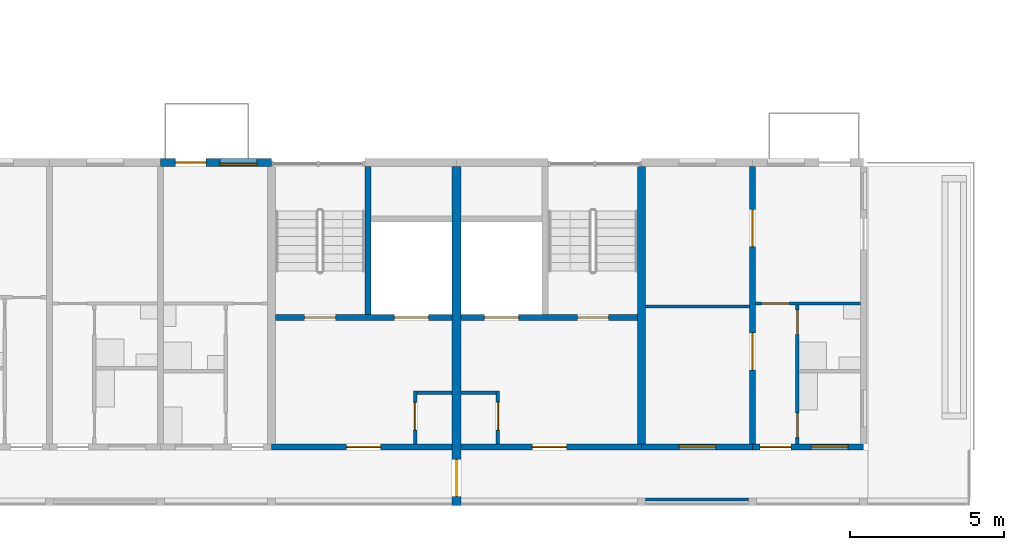
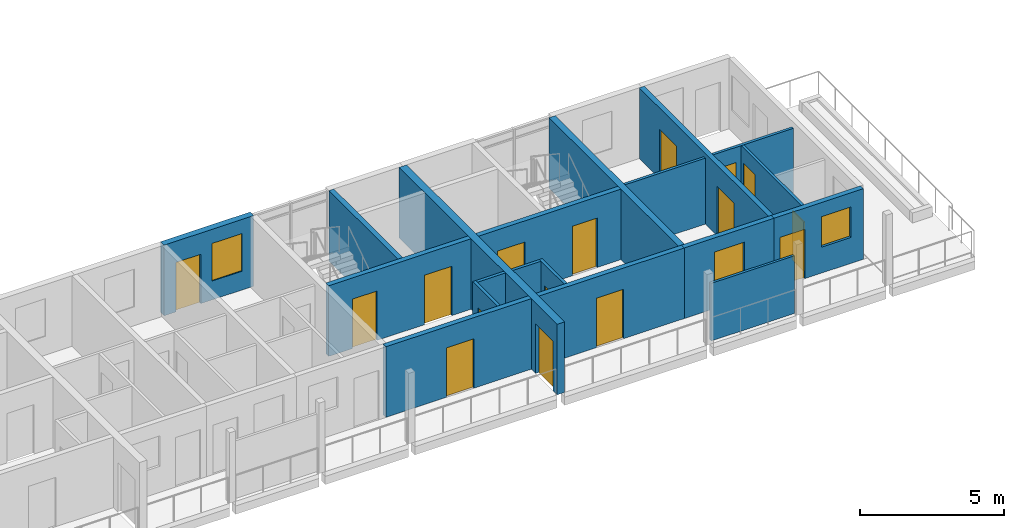
# One storey, part 29 of 64: 19 walls, 16 doors, 3 windows, 19 openings.
"""IFC4 building model written with IfcOpenShell, lengths in metres."""

from ifc_helpers import new_model, si_unit, direction, frame, frame_2d, origin, place, context, subcontext, project, spatial, rectangle, extrude, material, layer, layer_set, type_object, element, fill, save


model = new_model("IFC4")

# Units and contexts
model_context = context("Model", 3, precision=1e-05, world=origin(), true_north=direction((0.0, 1.0)))
body_context = subcontext(model_context, "Body", "Model", "MODEL_VIEW")
ifc_project = project(units=[si_unit("LENGTHUNIT", "METRE"), si_unit("AREAUNIT", "SQUARE_METRE"), si_unit("VOLUMEUNIT", "CUBIC_METRE"), si_unit("PLANEANGLEUNIT", "RADIAN"), si_unit("MASSUNIT", "GRAM", prefix="KILO")], contexts=[model_context])

# Site, building, storey
site_placement = place(None, origin())
site = spatial("IfcSite", under=ifc_project, at=site_placement, CompositionType="ELEMENT")
building_placement = place(site_placement, origin())
building = spatial("IfcBuilding", under=site, at=building_placement, Name="Ridgestep Commons", CompositionType="ELEMENT")
storey_placement = place(building_placement, frame((0.0, 0.0, 33.0)))
storey = spatial("IfcBuildingStorey", under=building, at=storey_placement, Name="L11", CompositionType="ELEMENT", Elevation=33.0)

# Wall
ifc_material_1 = material(Name="Concrete C30/37", Category="concrete")
ifc_layer_1 = layer(ifc_material_1, 0.25)
ifc_layer_set_1 = layer_set([ifc_layer_1], Name="Core cross wall 250")
wall_type_1 = type_object("IfcWallType", Name="Core cross wall 250", PredefinedType="SHEAR", material=ifc_layer_set_1)
wall_1_placement = place(storey_placement, frame((102.0, 13.75, 0.0), z_axis=(0.0, 0.0, 1.0), x_axis=(0.0, 1.0, 0.0)))
element("IfcWall", 1, at=wall_1_placement, inside=storey, type_object=wall_type_1, Name="Cross wall A-11-1020", PredefinedType="SHEAR", context=body_context, shape_type="SweptSolid", body=[
    extrude(rectangle(XDim=9.0, YDim=0.25, at=frame_2d((4.5, 0.0))), origin(), (0.0, 0.0, 1.0), 3.0),
])

# Wall, opening, door
ifc_material_2 = material(Name="Concrete C30/37", Category="concrete")
ifc_layer_2 = layer(ifc_material_2, 0.199951171875)
ifc_layer_set_2 = layer_set([ifc_layer_2], Name="Core south wall 200")
wall_type_2 = type_object("IfcWallType", Name="Core south wall 200", PredefinedType="SHEAR", material=ifc_layer_set_2)
wall_2_placement = place(storey_placement, frame((90.0, 13.64990234375, 0.0), z_axis=(0.0, 0.0, 1.0), x_axis=(1.0, 0.0, 0.0)))
wall_2 = element("IfcWall", 2, at=wall_2_placement, inside=storey, type_object=wall_type_2, Name="Core south wall A5C L11", PredefinedType="SHEAR", context=body_context, shape_type="SweptSolid", body=[
    extrude(rectangle(XDim=5.85009765625, YDim=0.199951171875, at=frame_2d((2.925048828125, 0.0))), origin(), (0.0, 0.0, 1.0), 3.0),
])
opening_1_placement = place(wall_2_placement, frame((2.4375, 0.0, 0.0)))
opening_1 = element("IfcOpeningElement", 3, at=opening_1_placement, cuts=wall_2, Name="Opening A5C/11/1", PredefinedType="OPENING", context=body_context, shape_type="SweptSolid", body=[
    extrude(rectangle(XDim=1.10009765625, YDim=2.10009765625, at=frame_2d((0.550048828125, 1.050048828125))), frame((0.0, 0.10986328125, 0.0), z_axis=(0.0, -1.0, 0.0), x_axis=(1.0, 0.0, 0.0)), (0.0, 0.0, 1.0), 0.219970703125),
])
ifc_material_3 = material(Name="Steel fire door", Category="steel")
door_type_1 = type_object("IfcDoorType", Name="Lobby door 1100 x 2100 FD60", OperationType="NOTDEFINED", PredefinedType="DOOR", material=ifc_material_3)
door_1_placement = place(opening_1_placement, origin())
door_1 = element("IfcDoor", 4, at=door_1_placement, inside=storey, type_object=door_type_1, Name="Lobby door A5C/11/1", OperationType="SINGLE_SWING_LEFT", OverallHeight=2.10009765625, OverallWidth=1.10009765625, PredefinedType="DOOR", context=body_context, shape_type="SweptSolid", body=[
    extrude(rectangle(XDim=1.10009765625, YDim=2.10009765625, at=frame_2d((0.550048828125, 1.050048828125))), frame((0.0, 0.02490234375, 0.0), z_axis=(0.0, -1.0, 0.0), x_axis=(1.0, 0.0, 0.0)), (0.0, 0.0, 1.0), 0.050048828125),
])
fill(opening_1, door_1)

wall_3_placement = place(storey_placement, frame((96.14990234375, 13.64990234375, 0.0), z_axis=(0.0, 0.0, 1.0), x_axis=(1.0, 0.0, 0.0)))
wall_3 = element("IfcWall", 5, at=wall_3_placement, inside=storey, type_object=wall_type_2, Name="Core south wall A6C L11", PredefinedType="SHEAR", context=body_context, shape_type="SweptSolid", body=[
    extrude(rectangle(XDim=5.85009765625, YDim=0.199951171875, at=frame_2d((2.925048828125, 0.0))), origin(), (0.0, 0.0, 1.0), 3.0),
])
opening_2_placement = place(wall_3_placement, frame((2.3125, 0.0, 0.0)))
opening_2 = element("IfcOpeningElement", 6, at=opening_2_placement, cuts=wall_3, Name="Opening A6C/11/1", PredefinedType="OPENING", context=body_context, shape_type="SweptSolid", body=[
    extrude(rectangle(XDim=1.10009765625, YDim=2.10009765625, at=frame_2d((0.550048828125, 1.050048828125))), frame((0.0, 0.10986328125, 0.0), z_axis=(0.0, -1.0, 0.0), x_axis=(1.0, 0.0, 0.0)), (0.0, 0.0, 1.0), 0.219970703125),
])
door_2_placement = place(opening_2_placement, origin())
door_2 = element("IfcDoor", 7, at=door_2_placement, inside=storey, type_object=door_type_1, Name="Lobby door A6C/11/1", OperationType="SINGLE_SWING_LEFT", OverallHeight=2.10009765625, OverallWidth=1.10009765625, PredefinedType="DOOR", context=body_context, shape_type="SweptSolid", body=[
    extrude(rectangle(XDim=1.10009765625, YDim=2.10009765625, at=frame_2d((0.550048828125, 1.050048828125))), frame((0.0, 0.02490234375, 0.0), z_axis=(0.0, -1.0, 0.0), x_axis=(1.0, 0.0, 0.0)), (0.0, 0.0, 1.0), 0.050048828125),
])
fill(opening_2, door_2)

ifc_material_4 = material(Name="Concrete C30/37", Category="concrete")
ifc_layer_3 = layer(ifc_material_4, 0.1201171875)
ifc_layer_set_3 = layer_set([ifc_layer_3], Name="Core wall 120")
wall_type_3 = type_object("IfcWallType", Name="Core wall 120", PredefinedType="SHEAR", material=ifc_layer_set_3)
wall_4_placement = place(storey_placement, frame((94.659912109375, 13.75, 0.0), z_axis=(0.0, 0.0, 1.0), x_axis=(0.0, 1.0, 0.0)))
wall_4 = element("IfcWall", 8, at=wall_4_placement, inside=storey, type_object=wall_type_3, Name="Core riser w wall A5C L11", PredefinedType="SHEAR", context=body_context, shape_type="SweptSolid", body=[
    extrude(rectangle(XDim=1.719970703125, YDim=0.1201171875, at=frame_2d((0.85986328125, 0.0))), origin(), (0.0, 0.0, 1.0), 3.0),
])
opening_3_placement = place(wall_4_placement, frame((0.449951171875, 0.0, 0.0)))
opening_3 = element("IfcOpeningElement", 9, at=opening_3_placement, cuts=wall_4, Name="Opening A5C/11/4", PredefinedType="OPENING", context=body_context, shape_type="SweptSolid", body=[
    extrude(rectangle(XDim=0.89990234375, YDim=2.10009765625, at=frame_2d((0.449951171875, 1.050048828125))), frame((0.0, 0.070068359375, 0.0), z_axis=(0.0, -1.0, 0.0), x_axis=(1.0, 0.0, 0.0)), (0.0, 0.0, 1.0), 0.14013671875),
])
ifc_material_5 = material(Name="Steel fire door", Category="steel")
door_type_2 = type_object("IfcDoorType", Name="Riser door 900 x 2100 FD60", OperationType="NOTDEFINED", PredefinedType="DOOR", material=ifc_material_5)
door_3_placement = place(opening_3_placement, origin())
door_3 = element("IfcDoor", 10, at=door_3_placement, inside=storey, type_object=door_type_2, Name="Riser door A5C/11/4", OperationType="SINGLE_SWING_LEFT", OverallHeight=2.10009765625, OverallWidth=0.89990234375, PredefinedType="DOOR", context=body_context, shape_type="SweptSolid", body=[
    extrude(rectangle(XDim=0.89990234375, YDim=2.10009765625, at=frame_2d((0.449951171875, 1.050048828125))), frame((0.0, 0.02490234375, 0.0), z_axis=(0.0, -1.0, 0.0), x_axis=(1.0, 0.0, 0.0)), (0.0, 0.0, 1.0), 0.050048828125),
])
fill(opening_3, door_3)

# Wall
wall_5_placement = place(storey_placement, frame((94.719970703125, 15.409912109375, 0.0), z_axis=(0.0, 0.0, 1.0), x_axis=(1.0, 0.0, 0.0)))
element("IfcWall", 11, at=wall_5_placement, inside=storey, type_object=wall_type_3, Name="Core riser n wall A5C L11", PredefinedType="SHEAR", context=body_context, shape_type="SweptSolid", body=[
    extrude(rectangle(XDim=1.130126953125, YDim=0.1201171875, at=frame_2d((0.56494140625, 0.0))), origin(), (0.0, 0.0, 1.0), 3.0),
])

# Wall, opening, door
wall_6_placement = place(storey_placement, frame((97.340087890625, 13.75, 0.0), z_axis=(0.0, 0.0, 1.0), x_axis=(0.0, 1.0, 0.0)))
wall_6 = element("IfcWall", 12, at=wall_6_placement, inside=storey, type_object=wall_type_3, Name="Core riser w wall A6C L11", PredefinedType="SHEAR", context=body_context, shape_type="SweptSolid", body=[
    extrude(rectangle(XDim=1.719970703125, YDim=0.1201171875, at=frame_2d((0.85986328125, 0.0))), origin(), (0.0, 0.0, 1.0), 3.0),
])
opening_4_placement = place(wall_6_placement, frame((0.449951171875, 0.0, 0.0)))
opening_4 = element("IfcOpeningElement", 13, at=opening_4_placement, cuts=wall_6, Name="Opening A6C/11/4", PredefinedType="OPENING", context=body_context, shape_type="SweptSolid", body=[
    extrude(rectangle(XDim=0.89990234375, YDim=2.10009765625, at=frame_2d((0.449951171875, 1.050048828125))), frame((0.0, 0.070068359375, 0.0), z_axis=(0.0, -1.0, 0.0), x_axis=(1.0, 0.0, 0.0)), (0.0, 0.0, 1.0), 0.14013671875),
])
door_4_placement = place(opening_4_placement, origin())
door_4 = element("IfcDoor", 14, at=door_4_placement, inside=storey, type_object=door_type_2, Name="Riser door A6C/11/4", OperationType="SINGLE_SWING_RIGHT", OverallHeight=2.10009765625, OverallWidth=0.89990234375, PredefinedType="DOOR", context=body_context, shape_type="SweptSolid", body=[
    extrude(rectangle(XDim=0.89990234375, YDim=2.10009765625, at=frame_2d((0.449951171875, 1.050048828125))), frame((0.0, 0.02490234375, 0.0), z_axis=(0.0, -1.0, 0.0), x_axis=(1.0, 0.0, 0.0)), (0.0, 0.0, 1.0), 0.050048828125),
])
fill(opening_4, door_4)

# Wall
wall_7_placement = place(storey_placement, frame((96.14990234375, 15.409912109375, 0.0), z_axis=(0.0, 0.0, 1.0), x_axis=(1.0, 0.0, 0.0)))
element("IfcWall", 15, at=wall_7_placement, inside=storey, type_object=wall_type_3, Name="Core riser n wall A6C L11", PredefinedType="SHEAR", context=body_context, shape_type="SweptSolid", body=[
    extrude(rectangle(XDim=1.130126953125, YDim=0.1201171875, at=frame_2d((0.56494140625, 0.0))), origin(), (0.0, 0.0, 1.0), 3.0),
])

# Wall, openings, doors
ifc_material_6 = material(Name="Concrete C30/37", Category="concrete")
ifc_layer_4 = layer(ifc_material_6, 0.199951171875)
ifc_layer_set_4 = layer_set([ifc_layer_4], Name="Core wall 200")
wall_type_4 = type_object("IfcWallType", Name="Core wall 200", PredefinedType="SHEAR", material=ifc_layer_set_4)
wall_8_placement = place(storey_placement, frame((90.125, 17.85009765625, 0.0), z_axis=(0.0, 0.0, 1.0), x_axis=(1.0, 0.0, 0.0)))
wall_8 = element("IfcWall", 16, at=wall_8_placement, inside=storey, type_object=wall_type_4, Name="Core lobby wall A5C L11", PredefinedType="SHEAR", context=body_context, shape_type="SweptSolid", body=[
    extrude(rectangle(XDim=5.72509765625, YDim=0.199951171875, at=frame_2d((2.862548828125, 0.0))), origin(), (0.0, 0.0, 1.0), 3.0),
])
opening_5_placement = place(wall_8_placement, frame((0.949951171875, 0.0, 0.0)))
opening_5 = element("IfcOpeningElement", 17, at=opening_5_placement, cuts=wall_8, Name="Opening A5C/11/2", PredefinedType="OPENING", context=body_context, shape_type="SweptSolid", body=[
    extrude(rectangle(XDim=1.0, YDim=2.10009765625, at=frame_2d((0.5, 1.050048828125))), frame((0.0, 0.10986328125, 0.0), z_axis=(0.0, -1.0, 0.0), x_axis=(1.0, 0.0, 0.0)), (0.0, 0.0, 1.0), 0.219970703125),
])
opening_6_placement = place(wall_8_placement, frame((3.862548828125, 0.0, 0.0)))
opening_6 = element("IfcOpeningElement", 18, at=opening_6_placement, cuts=wall_8, Name="Opening A5C/11/3", PredefinedType="OPENING", context=body_context, shape_type="SweptSolid", body=[
    extrude(rectangle(XDim=1.10009765625, YDim=2.10009765625, at=frame_2d((0.550048828125, 1.050048828125))), frame((0.0, 0.10986328125, 0.0), z_axis=(0.0, -1.0, 0.0), x_axis=(1.0, 0.0, 0.0)), (0.0, 0.0, 1.0), 0.219970703125),
])
ifc_material_7 = material(Name="Stainless steel", Category="steel")
door_type_3 = type_object("IfcDoorType", Name="Lift landing door 1100 x 2100 FD60", OperationType="DOUBLE_DOOR_SLIDING", PredefinedType="DOOR", material=ifc_material_7)
door_5_placement = place(opening_6_placement, origin())
door_5 = element("IfcDoor", 19, at=door_5_placement, inside=storey, type_object=door_type_3, Name="Landing door LD A5C L11", OperationType="DOUBLE_DOOR_SLIDING", OverallHeight=2.10009765625, OverallWidth=1.10009765625, PredefinedType="DOOR", context=body_context, shape_type="SweptSolid", body=[
    extrude(rectangle(XDim=1.10009765625, YDim=2.10009765625, at=frame_2d((0.550048828125, 1.050048828125))), frame((0.0, 0.02490234375, 0.0), z_axis=(0.0, -1.0, 0.0), x_axis=(1.0, 0.0, 0.0)), (0.0, 0.0, 1.0), 0.050048828125),
])
fill(opening_6, door_5)
ifc_material_8 = material(Name="Steel fire door", Category="steel")
door_type_4 = type_object("IfcDoorType", Name="Stair door 1000 x 2100 FD60", OperationType="NOTDEFINED", PredefinedType="DOOR", material=ifc_material_8)
door_6_placement = place(opening_5_placement, origin())
door_6 = element("IfcDoor", 20, at=door_6_placement, inside=storey, type_object=door_type_4, Name="Stair door A5C/11/2", OperationType="SINGLE_SWING_RIGHT", OverallHeight=2.10009765625, OverallWidth=1.0, PredefinedType="DOOR", context=body_context, shape_type="SweptSolid", body=[
    extrude(rectangle(XDim=1.0, YDim=2.10009765625, at=frame_2d((0.5, 1.050048828125))), frame((0.0, 0.02490234375, 0.0), z_axis=(0.0, -1.0, 0.0), x_axis=(1.0, 0.0, 0.0)), (0.0, 0.0, 1.0), 0.050048828125),
])
fill(opening_5, door_6)

# Wall
wall_9_placement = place(storey_placement, frame((93.125, 17.949951171875, 0.0), z_axis=(0.0, 0.0, 1.0), x_axis=(0.0, 1.0, 0.0)))
element("IfcWall", 21, at=wall_9_placement, inside=storey, type_object=wall_type_4, Name="Core stair wall A5C L11", PredefinedType="SHEAR", context=body_context, shape_type="SweptSolid", body=[
    extrude(rectangle(XDim=4.800048828125, YDim=0.199951171875, at=frame_2d((2.39990234375, 0.0))), origin(), (0.0, 0.0, 1.0), 3.0),
])

# Wall, openings, doors
wall_10_placement = place(storey_placement, frame((96.14990234375, 17.85009765625, 0.0), z_axis=(0.0, 0.0, 1.0), x_axis=(1.0, 0.0, 0.0)))
wall_10 = element("IfcWall", 22, at=wall_10_placement, inside=storey, type_object=wall_type_4, Name="Core lobby wall A6C L11", PredefinedType="SHEAR", context=body_context, shape_type="SweptSolid", body=[
    extrude(rectangle(XDim=5.72509765625, YDim=0.199951171875, at=frame_2d((2.862548828125, 0.0))), origin(), (0.0, 0.0, 1.0), 3.0),
])
opening_7_placement = place(wall_10_placement, frame((3.77490234375, 0.0, 0.0)))
opening_7 = element("IfcOpeningElement", 23, at=opening_7_placement, cuts=wall_10, Name="Opening A6C/11/2", PredefinedType="OPENING", context=body_context, shape_type="SweptSolid", body=[
    extrude(rectangle(XDim=1.0, YDim=2.10009765625, at=frame_2d((0.5, 1.050048828125))), frame((0.0, 0.10986328125, 0.0), z_axis=(0.0, -1.0, 0.0), x_axis=(1.0, 0.0, 0.0)), (0.0, 0.0, 1.0), 0.219970703125),
])
opening_8_placement = place(wall_10_placement, frame((0.762451171875, 0.0, 0.0)))
opening_8 = element("IfcOpeningElement", 24, at=opening_8_placement, cuts=wall_10, Name="Opening A6C/11/3", PredefinedType="OPENING", context=body_context, shape_type="SweptSolid", body=[
    extrude(rectangle(XDim=1.10009765625, YDim=2.10009765625, at=frame_2d((0.550048828125, 1.050048828125))), frame((0.0, 0.10986328125, 0.0), z_axis=(0.0, -1.0, 0.0), x_axis=(1.0, 0.0, 0.0)), (0.0, 0.0, 1.0), 0.219970703125),
])
door_7_placement = place(opening_8_placement, origin())
door_7 = element("IfcDoor", 25, at=door_7_placement, inside=storey, type_object=door_type_3, Name="Landing door LD A6C L11", OperationType="DOUBLE_DOOR_SLIDING", OverallHeight=2.10009765625, OverallWidth=1.10009765625, PredefinedType="DOOR", context=body_context, shape_type="SweptSolid", body=[
    extrude(rectangle(XDim=1.10009765625, YDim=2.10009765625, at=frame_2d((0.550048828125, 1.050048828125))), frame((0.0, 0.02490234375, 0.0), z_axis=(0.0, -1.0, 0.0), x_axis=(1.0, 0.0, 0.0)), (0.0, 0.0, 1.0), 0.050048828125),
])
fill(opening_8, door_7)
door_8_placement = place(opening_7_placement, origin())
door_8 = element("IfcDoor", 26, at=door_8_placement, inside=storey, type_object=door_type_4, Name="Stair door A6C/11/2", OperationType="SINGLE_SWING_RIGHT", OverallHeight=2.10009765625, OverallWidth=1.0, PredefinedType="DOOR", context=body_context, shape_type="SweptSolid", body=[
    extrude(rectangle(XDim=1.0, YDim=2.10009765625, at=frame_2d((0.5, 1.050048828125))), frame((0.0, 0.02490234375, 0.0), z_axis=(0.0, -1.0, 0.0), x_axis=(1.0, 0.0, 0.0)), (0.0, 0.0, 1.0), 0.050048828125),
])
fill(opening_7, door_8)

ifc_material_9 = material(Name="Precast concrete C40/50", Category="concrete")
ifc_layer_5 = layer(ifc_material_9, 0.199951171875)
ifc_layer_set_5 = layer_set([ifc_layer_5], Name="Cross wall 200")
wall_type_5 = type_object("IfcWallType", Name="Cross wall 200", PredefinedType="SHEAR", material=ifc_layer_set_5)
wall_11_placement = place(storey_placement, frame((105.60009765625, 13.75, 0.0), z_axis=(0.0, 0.0, 1.0), x_axis=(0.0, 1.0, 0.0)))
wall_11 = element("IfcWall", 27, at=wall_11_placement, inside=storey, type_object=wall_type_5, Name="Cross wall A-11-1056", PredefinedType="SHEAR", context=body_context, shape_type="SweptSolid", body=[
    extrude(rectangle(XDim=9.0, YDim=0.199951171875, at=frame_2d((4.5, 0.0))), origin(), (0.0, 0.0, 1.0), 3.0),
])
opening_9_placement = place(wall_11_placement, frame((2.39990234375, 0.0, 0.0)))
opening_9 = element("IfcOpeningElement", 28, at=opening_9_placement, cuts=wall_11, Name="Opening A6-11a/5", PredefinedType="OPENING", context=body_context, shape_type="SweptSolid", body=[
    extrude(rectangle(XDim=1.199951171875, YDim=2.10009765625, at=frame_2d((0.60009765625, 1.050048828125))), frame((0.0, 0.10986328125, 0.0), z_axis=(0.0, -1.0, 0.0), x_axis=(1.0, 0.0, 0.0)), (0.0, 0.0, 1.0), 0.219970703125),
])
opening_10_placement = place(wall_11_placement, frame((6.39990234375, 0.0, 0.0)))
opening_10 = element("IfcOpeningElement", 29, at=opening_10_placement, cuts=wall_11, Name="Opening A6-11a/6", PredefinedType="OPENING", context=body_context, shape_type="SweptSolid", body=[
    extrude(rectangle(XDim=1.199951171875, YDim=2.10009765625, at=frame_2d((0.60009765625, 1.050048828125))), frame((0.0, 0.10986328125, 0.0), z_axis=(0.0, -1.0, 0.0), x_axis=(1.0, 0.0, 0.0)), (0.0, 0.0, 1.0), 0.219970703125),
])
ifc_material_10 = material(Name="Timber door leaf", Category="wood")
door_type_5 = type_object("IfcDoorType", Name="Double door 1200 x 2100", OperationType="DOUBLE_DOOR_SINGLE_SWING", PredefinedType="DOOR", material=ifc_material_10)
door_9_placement = place(opening_9_placement, origin())
door_9 = element("IfcDoor", 30, at=door_9_placement, inside=storey, type_object=door_type_5, Name="Double door A6-11a/5", OperationType="DOUBLE_DOOR_SINGLE_SWING", OverallHeight=2.10009765625, OverallWidth=1.199951171875, PredefinedType="DOOR", context=body_context, shape_type="SweptSolid", body=[
    extrude(rectangle(XDim=1.199951171875, YDim=2.10009765625, at=frame_2d((0.60009765625, 1.050048828125))), frame((0.0, 0.02490234375, 0.0), z_axis=(0.0, -1.0, 0.0), x_axis=(1.0, 0.0, 0.0)), (0.0, 0.0, 1.0), 0.050048828125),
])
fill(opening_9, door_9)
door_10_placement = place(opening_10_placement, origin())
door_10 = element("IfcDoor", 31, at=door_10_placement, inside=storey, type_object=door_type_5, Name="Double door A6-11a/6", OperationType="DOUBLE_DOOR_SINGLE_SWING", OverallHeight=2.10009765625, OverallWidth=1.199951171875, PredefinedType="DOOR", context=body_context, shape_type="SweptSolid", body=[
    extrude(rectangle(XDim=1.199951171875, YDim=2.10009765625, at=frame_2d((0.60009765625, 1.050048828125))), frame((0.0, 0.02490234375, 0.0), z_axis=(0.0, -1.0, 0.0), x_axis=(1.0, 0.0, 0.0)), (0.0, 0.0, 1.0), 0.050048828125),
])
fill(opening_10, door_10)

# Wall, opening, door
ifc_material_11 = material(Name="Precast concrete C40/50", Category="concrete")
ifc_layer_6 = layer(ifc_material_11, 0.300048828125)
ifc_layer_set_6 = layer_set([ifc_layer_6], Name="Division wall 300")
wall_type_6 = type_object("IfcWallType", Name="Division wall 300", PredefinedType="SHEAR", material=ifc_layer_set_6)
wall_12_placement = place(storey_placement, frame((96.0, 11.75, 0.0), z_axis=(0.0, 0.0, 1.0), x_axis=(0.0, 1.0, 0.0)))
wall_12 = element("IfcWall", 32, at=wall_12_placement, inside=storey, type_object=wall_type_6, Name="Cross wall A-11-0960", PredefinedType="SHEAR", context=body_context, shape_type="SweptSolid", body=[
    extrude(rectangle(XDim=11.0, YDim=0.300048828125, at=frame_2d((5.5, 0.0))), origin(), (0.0, 0.0, 1.0), 3.0),
])
opening_11_placement = place(wall_12_placement, frame((0.300048828125, 0.0, 0.0)))
opening_11 = element("IfcOpeningElement", 33, at=opening_11_placement, cuts=wall_12, Name="Opening A/11/G0960", PredefinedType="OPENING", context=body_context, shape_type="SweptSolid", body=[
    extrude(rectangle(XDim=1.199951171875, YDim=2.10009765625, at=frame_2d((0.60009765625, 1.050048828125))), frame((0.0, 0.159912109375, 0.0), z_axis=(0.0, -1.0, 0.0), x_axis=(1.0, 0.0, 0.0)), (0.0, 0.0, 1.0), 0.320068359375),
])
ifc_material_12 = material(Name="Steel fire door", Category="steel")
door_type_6 = type_object("IfcDoorType", Name="Division fire door 1200 x 2100 EI 240", OperationType="DOUBLE_DOOR_SINGLE_SWING", PredefinedType="DOOR", material=ifc_material_12)
door_11_placement = place(opening_11_placement, origin())
door_11 = element("IfcDoor", 34, at=door_11_placement, inside=storey, type_object=door_type_6, Name="Division fire door A/11/G0960", OperationType="DOUBLE_DOOR_SINGLE_SWING", OverallHeight=2.10009765625, OverallWidth=1.199951171875, PredefinedType="DOOR", context=body_context, shape_type="SweptSolid", body=[
    extrude(rectangle(XDim=1.199951171875, YDim=2.10009765625, at=frame_2d((0.60009765625, 1.050048828125))), frame((0.0, 0.02490234375, 0.0), z_axis=(0.0, -1.0, 0.0), x_axis=(1.0, 0.0, 0.0)), (0.0, 0.0, 1.0), 0.050048828125),
])
fill(opening_11, door_11)

# Wall, openings, door, window
ifc_material_13 = material(Name="Precast concrete C40/50", Category="concrete")
ifc_layer_7 = layer(ifc_material_13, 0.25)
ifc_layer_set_7 = layer_set([ifc_layer_7], Name="North facade panel 250")
wall_type_7 = type_object("IfcWallType", Name="North facade panel 250", PredefinedType="SOLIDWALL", material=ifc_layer_set_7)
wall_13_placement = place(storey_placement, frame((86.39990234375, 22.875, 0.0), z_axis=(0.0, 0.0, 1.0), x_axis=(1.0, 0.0, 0.0)))
wall_13 = element("IfcWall", 35, at=wall_13_placement, inside=storey, type_object=wall_type_7, Name="North panel A5T3 L11", PredefinedType="SOLIDWALL", context=body_context, shape_type="SweptSolid", body=[
    extrude(rectangle(XDim=3.60009765625, YDim=0.25, at=frame_2d((1.800048828125, 0.0))), origin(), (0.0, 0.0, 1.0), 3.0),
])
opening_12_placement = place(wall_13_placement, frame((1.926513671875, 0.0, 0.800048828125)))
opening_12 = element("IfcOpeningElement", 36, at=opening_12_placement, cuts=wall_13, Name="Opening W11", PredefinedType="OPENING", context=body_context, shape_type="SweptSolid", body=[
    extrude(rectangle(XDim=1.199951171875, YDim=1.60009765625, at=frame_2d((0.60009765625, 0.800048828125))), frame((0.0, 0.135009765625, 0.0), z_axis=(0.0, -1.0, 0.0), x_axis=(1.0, 0.0, 0.0)), (0.0, 0.0, 1.0), 0.27001953125),
])
opening_13_placement = place(wall_13_placement, frame((0.47802734375, 0.0, 0.0)))
opening_13 = element("IfcOpeningElement", 37, at=opening_13_placement, cuts=wall_13, Name="Opening A5-11c/5", PredefinedType="OPENING", context=body_context, shape_type="SweptSolid", body=[
    extrude(rectangle(XDim=1.0, YDim=2.10009765625, at=frame_2d((0.5, 1.050048828125))), frame((0.0, 0.135009765625, 0.0), z_axis=(0.0, -1.0, 0.0), x_axis=(1.0, 0.0, 0.0)), (0.0, 0.0, 1.0), 0.27001953125),
])
ifc_material_14 = material(Name="Aluminium and glass", Category="aluminium")
door_type_7 = type_object("IfcDoorType", Name="Balcony door 1000 x 2100", OperationType="NOTDEFINED", PredefinedType="DOOR", material=ifc_material_14)
door_12_placement = place(opening_13_placement, origin())
door_12 = element("IfcDoor", 38, at=door_12_placement, inside=storey, type_object=door_type_7, Name="Balcony door A5-11c/5", OperationType="SINGLE_SWING_RIGHT", OverallHeight=2.10009765625, OverallWidth=1.0, PredefinedType="DOOR", context=body_context, shape_type="SweptSolid", body=[
    extrude(rectangle(XDim=1.0, YDim=2.10009765625, at=frame_2d((0.5, 1.050048828125))), frame((0.0, 0.02490234375, 0.0), z_axis=(0.0, -1.0, 0.0), x_axis=(1.0, 0.0, 0.0)), (0.0, 0.0, 1.0), 0.050048828125),
])
fill(opening_13, door_12)
ifc_material_15 = material(Name="Aluminium 6063-T6 and glass", Category="aluminium")
window_type_1 = type_object("IfcWindowType", Name="Flat window 1200 x 1600", PartitioningType="SINGLE_PANEL", PredefinedType="WINDOW", material=ifc_material_15)
window_1_placement = place(opening_12_placement, origin())
window_1 = element("IfcWindow", 39, at=window_1_placement, inside=storey, type_object=window_type_1, Name="Window A5-11c 2", OverallHeight=1.60009765625, OverallWidth=1.199951171875, PartitioningType="SINGLE_PANEL", PredefinedType="WINDOW", context=body_context, shape_type="SweptSolid", body=[
    extrude(rectangle(XDim=1.199951171875, YDim=1.60009765625, at=frame_2d((0.60009765625, 0.800048828125))), frame((0.0, -0.02490234375, 0.0), z_axis=(0.0, -1.0, 0.0), x_axis=(1.0, 0.0, 0.0)), (0.0, 0.0, 1.0), 0.06005859375),
])
fill(opening_12, window_1)

# Wall, openings, doors
ifc_material_16 = material(Name="Common brick 110 mm", Category="masonry")
ifc_layer_8 = layer(ifc_material_16, 0.110107421875)
ifc_layer_set_8 = layer_set([ifc_layer_8], Name="Partition 110")
wall_type_8 = type_object("IfcWallType", Name="Partition 110", PredefinedType="PARTITIONING", material=ifc_layer_set_8)
wall_14_placement = place(storey_placement, frame((107.054931640625, 13.75, 0.0), z_axis=(0.0, 0.0, 1.0), x_axis=(0.0, 1.0, 0.0)))
wall_14 = element("IfcWall", 40, at=wall_14_placement, inside=storey, type_object=wall_type_8, Name="Partition A6-11a", PredefinedType="PARTITIONING", context=body_context, shape_type="SweptSolid", body=[
    extrude(rectangle(XDim=4.5, YDim=0.110107421875, at=frame_2d((2.25, 0.0))), origin(), (0.0, 0.0, 1.0), 2.75),
])
opening_14_placement = place(wall_14_placement, frame((0.199951171875, 0.0, 0.0)))
opening_14 = element("IfcOpeningElement", 41, at=opening_14_placement, cuts=wall_14, Name="Opening A6-11a/2", PredefinedType="OPENING", context=body_context, shape_type="SweptSolid", body=[
    extrude(rectangle(XDim=0.800048828125, YDim=2.10009765625, at=frame_2d((0.39990234375, 1.050048828125))), frame((0.0, 0.06494140625, 0.0), z_axis=(0.0, -1.0, 0.0), x_axis=(1.0, 0.0, 0.0)), (0.0, 0.0, 1.0), 0.130126953125),
])
opening_15_placement = place(wall_14_placement, frame((3.550048828125, 0.0, 0.0)))
opening_15 = element("IfcOpeningElement", 42, at=opening_15_placement, cuts=wall_14, Name="Opening A6-11a/3", PredefinedType="OPENING", context=body_context, shape_type="SweptSolid", body=[
    extrude(rectangle(XDim=0.800048828125, YDim=2.10009765625, at=frame_2d((0.39990234375, 1.050048828125))), frame((0.0, 0.06494140625, 0.0), z_axis=(0.0, -1.0, 0.0), x_axis=(1.0, 0.0, 0.0)), (0.0, 0.0, 1.0), 0.130126953125),
])
ifc_material_17 = material(Name="Timber door leaf", Category="wood")
door_type_8 = type_object("IfcDoorType", Name="Internal door 800 x 2100", OperationType="NOTDEFINED", PredefinedType="DOOR", material=ifc_material_17)
door_13_placement = place(opening_14_placement, origin())
door_13 = element("IfcDoor", 43, at=door_13_placement, inside=storey, type_object=door_type_8, Name="Internal door A6-11a/2", OperationType="SINGLE_SWING_RIGHT", OverallHeight=2.10009765625, OverallWidth=0.800048828125, PredefinedType="DOOR", context=body_context, shape_type="SweptSolid", body=[
    extrude(rectangle(XDim=0.800048828125, YDim=2.10009765625, at=frame_2d((0.39990234375, 1.050048828125))), frame((0.0, 0.02490234375, 0.0), z_axis=(0.0, -1.0, 0.0), x_axis=(1.0, 0.0, 0.0)), (0.0, 0.0, 1.0), 0.050048828125),
])
fill(opening_14, door_13)
door_14_placement = place(opening_15_placement, origin())
door_14 = element("IfcDoor", 44, at=door_14_placement, inside=storey, type_object=door_type_8, Name="Internal door A6-11a/3", OperationType="SINGLE_SWING_LEFT", OverallHeight=2.10009765625, OverallWidth=0.800048828125, PredefinedType="DOOR", context=body_context, shape_type="SweptSolid", body=[
    extrude(rectangle(XDim=0.800048828125, YDim=2.10009765625, at=frame_2d((0.39990234375, 1.050048828125))), frame((0.0, 0.02490234375, 0.0), z_axis=(0.0, -1.0, 0.0), x_axis=(1.0, 0.0, 0.0)), (0.0, 0.0, 1.0), 0.050048828125),
])
fill(opening_15, door_14)

# Wall, opening, door
wall_15_placement = place(storey_placement, frame((105.699951171875, 18.304931640625, 0.0), z_axis=(0.0, 0.0, 1.0), x_axis=(1.0, 0.0, 0.0)))
wall_15 = element("IfcWall", 45, at=wall_15_placement, inside=storey, type_object=wall_type_8, Name="Partition A6-11a", PredefinedType="PARTITIONING", context=body_context, shape_type="SweptSolid", body=[
    extrude(rectangle(XDim=3.400146484375, YDim=0.110107421875, at=frame_2d((1.7001953125, 0.0))), origin(), (0.0, 0.0, 1.0), 2.75),
])
opening_16_placement = place(wall_15_placement, frame((0.199951171875, 0.0, 0.0)))
opening_16 = element("IfcOpeningElement", 46, at=opening_16_placement, cuts=wall_15, Name="Opening A6-11a/4", PredefinedType="OPENING", context=body_context, shape_type="SweptSolid", body=[
    extrude(rectangle(XDim=0.89990234375, YDim=2.10009765625, at=frame_2d((0.449951171875, 1.050048828125))), frame((0.0, 0.06494140625, 0.0), z_axis=(0.0, -1.0, 0.0), x_axis=(1.0, 0.0, 0.0)), (0.0, 0.0, 1.0), 0.130126953125),
])
ifc_material_18 = material(Name="Timber door leaf", Category="wood")
door_type_9 = type_object("IfcDoorType", Name="Internal door 900 x 2100", OperationType="NOTDEFINED", PredefinedType="DOOR", material=ifc_material_18)
door_15_placement = place(opening_16_placement, origin())
door_15 = element("IfcDoor", 47, at=door_15_placement, inside=storey, type_object=door_type_9, Name="Internal door A6-11a/4", OperationType="SINGLE_SWING_RIGHT", OverallHeight=2.10009765625, OverallWidth=0.89990234375, PredefinedType="DOOR", context=body_context, shape_type="SweptSolid", body=[
    extrude(rectangle(XDim=0.89990234375, YDim=2.10009765625, at=frame_2d((0.449951171875, 1.050048828125))), frame((0.0, 0.02490234375, 0.0), z_axis=(0.0, -1.0, 0.0), x_axis=(1.0, 0.0, 0.0)), (0.0, 0.0, 1.0), 0.050048828125),
])
fill(opening_16, door_15)

# Walls
wall_16_placement = place(storey_placement, frame((102.125, 18.205078125, 0.0), z_axis=(0.0, 0.0, 1.0), x_axis=(1.0, 0.0, 0.0)))
element("IfcWall", 48, at=wall_16_placement, inside=storey, type_object=wall_type_8, Name="Partition A6-11a", PredefinedType="PARTITIONING", context=body_context, shape_type="SweptSolid", body=[
    extrude(rectangle(XDim=3.375, YDim=0.110107421875, at=frame_2d((1.6875, 0.0))), origin(), (0.0, 0.0, 1.0), 2.800048828125),
])
ifc_material_19 = material(Name="Precast concrete C30/37", Category="concrete")
ifc_layer_9 = layer(ifc_material_19, 0.10009765625)
ifc_layer_set_9 = layer_set([ifc_layer_9], Name="Perforated gallery screen 3350 x 2450 x 100")
wall_type_9 = type_object("IfcWallType", Name="Perforated gallery screen 3350 x 2450 x 100", PredefinedType="SOLIDWALL", material=ifc_layer_set_9)
wall_17_placement = place(storey_placement, frame((102.125, 11.949951171875, 0.0), z_axis=(0.0, 0.0, 1.0), x_axis=(1.0, 0.0, 0.0)))
element("IfcWall", 49, at=wall_17_placement, inside=storey, type_object=wall_type_9, Name="Gallery screen A6T3 11", PredefinedType="SOLIDWALL", context=body_context, shape_type="SweptSolid", body=[
    extrude(rectangle(XDim=3.35009765625, YDim=0.10009765625, at=frame_2d((1.675048828125, 0.0))), origin(), (0.0, 0.0, 1.0), 2.449951171875),
])

# Wall, opening, window
ifc_material_20 = material(Name="Precast concrete C40/50", Category="concrete")
ifc_layer_10 = layer(ifc_material_20, 0.199951171875)
ifc_layer_set_10 = layer_set([ifc_layer_10], Name="South facade panel 200")
wall_type_10 = type_object("IfcWallType", Name="South facade panel 200", PredefinedType="SOLIDWALL", material=ifc_layer_set_10)
wall_18_placement = place(storey_placement, frame((102.0, 13.64990234375, 0.0), z_axis=(0.0, 0.0, 1.0), x_axis=(1.0, 0.0, 0.0)))
wall_18 = element("IfcWall", 50, at=wall_18_placement, inside=storey, type_object=wall_type_10, Name="South panel A6T3 L11", PredefinedType="SOLIDWALL", context=body_context, shape_type="SweptSolid", body=[
    extrude(rectangle(XDim=3.60009765625, YDim=0.199951171875, at=frame_2d((1.800048828125, 0.0))), origin(), (0.0, 0.0, 1.0), 3.0),
])
opening_17_placement = place(wall_18_placement, frame((1.21240234375, 0.0, 0.800048828125)))
opening_17 = element("IfcOpeningElement", 51, at=opening_17_placement, cuts=wall_18, Name="Opening W11", PredefinedType="OPENING", context=body_context, shape_type="SweptSolid", body=[
    extrude(rectangle(XDim=1.199951171875, YDim=1.60009765625, at=frame_2d((0.60009765625, 0.800048828125))), frame((0.0, 0.10986328125, 0.0), z_axis=(0.0, -1.0, 0.0), x_axis=(1.0, 0.0, 0.0)), (0.0, 0.0, 1.0), 0.219970703125),
])
window_2_placement = place(opening_17_placement, origin())
window_2 = element("IfcWindow", 52, at=window_2_placement, inside=storey, type_object=window_type_1, Name="Window A6-11a 1", OverallHeight=1.60009765625, OverallWidth=1.199951171875, PartitioningType="SINGLE_PANEL", PredefinedType="WINDOW", context=body_context, shape_type="SweptSolid", body=[
    extrude(rectangle(XDim=1.199951171875, YDim=1.60009765625, at=frame_2d((0.60009765625, 0.800048828125))), frame((0.0, 0.06005859375, 0.0), z_axis=(0.0, -1.0, 0.0), x_axis=(1.0, 0.0, 0.0)), (0.0, 0.0, 1.0), 0.06005859375),
])
fill(opening_17, window_2)

# Wall, openings, door, window
wall_19_placement = place(storey_placement, frame((105.60009765625, 13.64990234375, 0.0), z_axis=(0.0, 0.0, 1.0), x_axis=(1.0, 0.0, 0.0)))
wall_19 = element("IfcWall", 53, at=wall_19_placement, inside=storey, type_object=wall_type_10, Name="South panel A6T2 L11", PredefinedType="SOLIDWALL", context=body_context, shape_type="SweptSolid", body=[
    extrude(rectangle(XDim=3.599853515625, YDim=0.199951171875, at=frame_2d((1.7998046875, 0.0))), origin(), (0.0, 0.0, 1.0), 3.0),
])
opening_18_placement = place(wall_19_placement, frame((1.905029296875, 0.0, 1.10009765625)))
opening_18 = element("IfcOpeningElement", 54, at=opening_18_placement, cuts=wall_19, Name="Opening W08", PredefinedType="OPENING", context=body_context, shape_type="SweptSolid", body=[
    extrude(rectangle(XDim=1.199951171875, YDim=1.300048828125, at=frame_2d((0.60009765625, 0.64990234375))), frame((0.0, 0.10986328125, 0.0), z_axis=(0.0, -1.0, 0.0), x_axis=(1.0, 0.0, 0.0)), (0.0, 0.0, 1.0), 0.219970703125),
])
opening_19_placement = place(wall_19_placement, frame((0.25, 0.0, 0.0)))
opening_19 = element("IfcOpeningElement", 55, at=opening_19_placement, cuts=wall_19, Name="Opening A6-11a/1", PredefinedType="OPENING", context=body_context, shape_type="SweptSolid", body=[
    extrude(rectangle(XDim=1.0, YDim=2.10009765625, at=frame_2d((0.5, 1.050048828125))), frame((0.0, 0.10986328125, 0.0), z_axis=(0.0, -1.0, 0.0), x_axis=(1.0, 0.0, 0.0)), (0.0, 0.0, 1.0), 0.219970703125),
])
ifc_material_21 = material(Name="Timber door leaf", Category="wood")
door_type_10 = type_object("IfcDoorType", Name="Flat entrance door 1000 x 2100 FD30S", OperationType="NOTDEFINED", PredefinedType="DOOR", material=ifc_material_21)
door_16_placement = place(opening_19_placement, origin())
door_16 = element("IfcDoor", 56, at=door_16_placement, inside=storey, type_object=door_type_10, Name="Flat entrance door A6-11a/1", OperationType="SINGLE_SWING_LEFT", OverallHeight=2.10009765625, OverallWidth=1.0, PredefinedType="DOOR", context=body_context, shape_type="SweptSolid", body=[
    extrude(rectangle(XDim=1.0, YDim=2.10009765625, at=frame_2d((0.5, 1.050048828125))), frame((0.0, 0.02490234375, 0.0), z_axis=(0.0, -1.0, 0.0), x_axis=(1.0, 0.0, 0.0)), (0.0, 0.0, 1.0), 0.050048828125),
])
fill(opening_19, door_16)
ifc_material_22 = material(Name="Aluminium 6063-T6 and glass", Category="aluminium")
window_type_2 = type_object("IfcWindowType", Name="Flat window 1200 x 1300", PartitioningType="SINGLE_PANEL", PredefinedType="WINDOW", material=ifc_material_22)
window_3_placement = place(opening_18_placement, origin())
window_3 = element("IfcWindow", 57, at=window_3_placement, inside=storey, type_object=window_type_2, Name="Window A6-11a 3", OverallHeight=1.300048828125, OverallWidth=1.199951171875, PartitioningType="SINGLE_PANEL", PredefinedType="WINDOW", context=body_context, shape_type="SweptSolid", body=[
    extrude(rectangle(XDim=1.199951171875, YDim=1.300048828125, at=frame_2d((0.60009765625, 0.64990234375))), frame((0.0, 0.06005859375, 0.0), z_axis=(0.0, -1.0, 0.0), x_axis=(1.0, 0.0, 0.0)), (0.0, 0.0, 1.0), 0.06005859375),
])
fill(opening_18, window_3)

save(model, "model.ifc")
